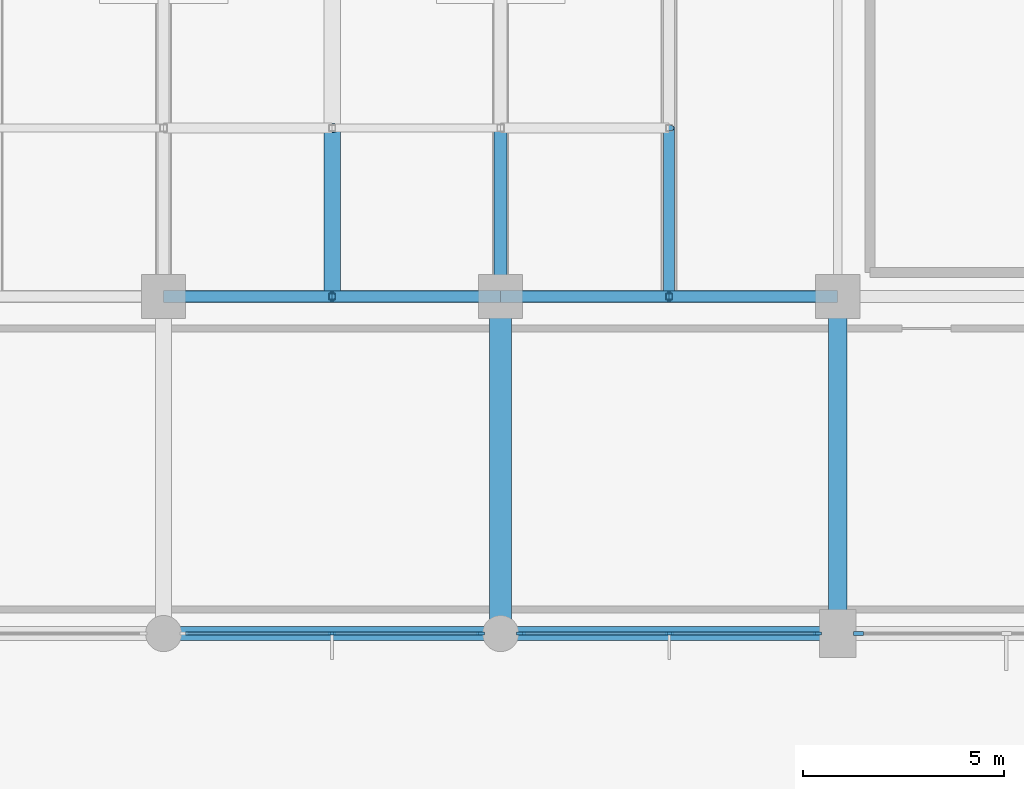
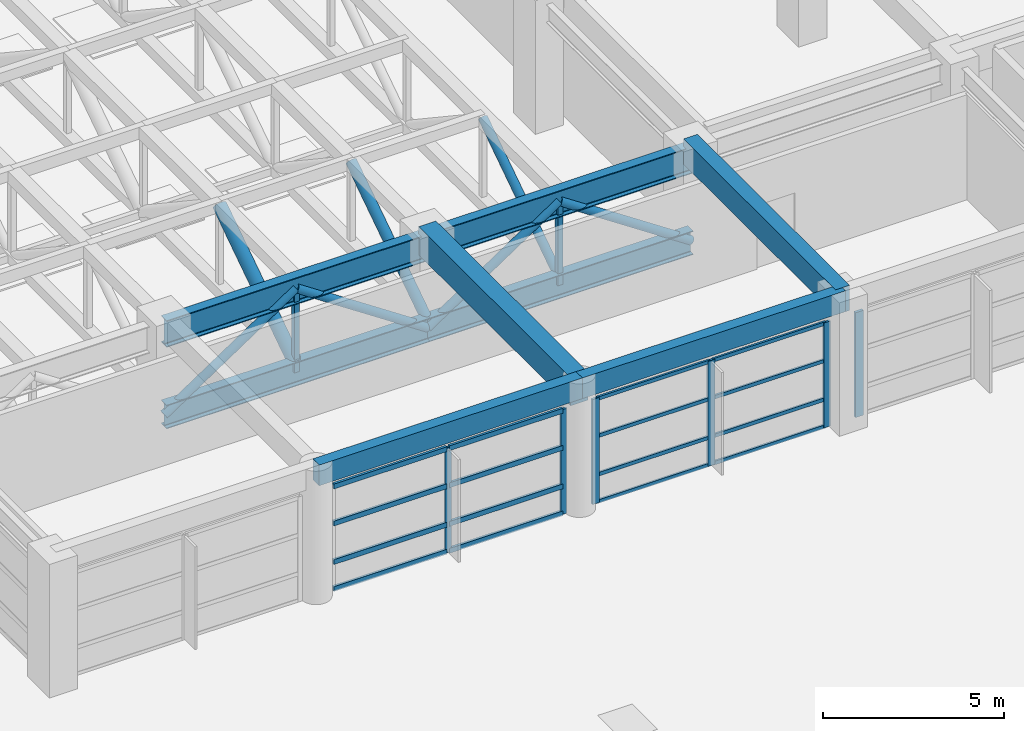
# One storey, part 10 of 47: 31 members, 8 beams, 3 elements without a shape of their own.
"""IFC4 building model written with IfcOpenShell, lengths in metres."""

from ifc_helpers import new_model, si_unit, direction, frame, origin, origin_2d, place, context, subcontext, project, spatial, rectangle, hollow_rectangle, hollow_circle, i_section, extrude, material, material_profile, profile_set, type_object, element, aggregate, save


model = new_model("IFC4")

# Units and contexts
model_context = context("Model", 3, precision=1e-05, world=origin(), true_north=direction((0.0, 1.0)))
body_context = subcontext(model_context, "Body", "Model", "MODEL_VIEW")
ifc_project = project(units=[si_unit("LENGTHUNIT", "METRE"), si_unit("AREAUNIT", "SQUARE_METRE"), si_unit("VOLUMEUNIT", "CUBIC_METRE"), si_unit("PLANEANGLEUNIT", "RADIAN"), si_unit("MASSUNIT", "GRAM", prefix="KILO")], contexts=[model_context])

# Site, building, storey
site_placement = place(None, origin())
site = spatial("IfcSite", under=ifc_project, at=site_placement, CompositionType="ELEMENT")
building_placement = place(site_placement, origin())
building = spatial("IfcBuilding", under=site, at=building_placement, Name="Xuanlan Plaza Opera House", CompositionType="ELEMENT")
storey_placement = place(building_placement, frame((0.0, 0.0, 23.39990234375)))
storey = spatial("IfcBuildingStorey", under=building, at=storey_placement, Name="L05", CompositionType="ELEMENT", Elevation=23.39990234375)

# Curtain wall, members
ifc_material_1 = material(Name="Anodised Aluminium 6063-T6 and Low-E Glass", Category="aluminium")
curtain_wall_type_1 = type_object("IfcCurtainWallType", Name="ENV-CW-CW-05", PredefinedType="USERDEFINED", material=ifc_material_1)
curtain_wall_1_placement = place(storey_placement, origin())
curtain_wall_1 = element("IfcCurtainWall", 1, at=curtain_wall_1_placement, inside=storey, type_object=curtain_wall_type_1, Name="Acoustic Glazed Wall L05-006", ObjectType="ACOUSTIC GLAZED WALL", PredefinedType="USERDEFINED")
ifc_material_2 = material(Name="Anodised Aluminium 6063-T6", Category="aluminium")
ifc_material_profile_1 = material_profile(ifc_material_2, rectangle(XDim=0.074951171875, YDim=0.199951171875, at=origin_2d()), Name="ALU-M 75x200")
ifc_profile_set_1 = profile_set([ifc_material_profile_1], Name="Anodised Aluminium 6063-T6")
member_type_1 = type_object("IfcMemberType", Name="ENV-CWM-03", PredefinedType="MULLION", material=ifc_profile_set_1)
member_1_placement = place(storey_placement, frame((79.800048828125, 33.60009765625, 0.0), z_axis=(0.0, 0.0, 1.0), x_axis=(0.0, 1.0, 0.0)))
member_1 = element("IfcMember", 2, at=member_1_placement, type_object=member_type_1, Name="CW-05 mullion 2", PredefinedType="MULLION", context=body_context, shape_type="SweptSolid", body=[
    extrude(rectangle(XDim=0.074951171875, YDim=0.199951171875, at=origin_2d()), origin(), (0.0, 0.0, 1.0), 3.5400390625),
])
member_2_placement = place(storey_placement, frame((83.492431640625, 33.60009765625, 0.0), z_axis=(0.0, 0.0, 1.0), x_axis=(0.0, 1.0, 0.0)))
member_2 = element("IfcMember", 3, at=member_2_placement, type_object=member_type_1, Name="CW-05 mullion 3", PredefinedType="MULLION", context=body_context, shape_type="SweptSolid", body=[
    extrude(rectangle(XDim=0.074951171875, YDim=0.199951171875, at=origin_2d()), origin(), (0.0, 0.0, 1.0), 3.5400390625),
])

curtain_wall_type_2 = type_object("IfcCurtainWallType", Name="ENV-CW-CW-06", PredefinedType="USERDEFINED", material=ifc_material_1)
curtain_wall_2_placement = place(storey_placement, origin())
curtain_wall_2 = element("IfcCurtainWall", 4, at=curtain_wall_2_placement, inside=storey, type_object=curtain_wall_type_2, Name="Acoustic Glazed Wall L05-007", ObjectType="ACOUSTIC GLAZED WALL", PredefinedType="USERDEFINED")
ifc_material_profile_2 = material_profile(ifc_material_2, rectangle(XDim=0.080078125, YDim=0.219970703125, at=origin_2d()), Name="ALU-M 80x220")
ifc_profile_set_2 = profile_set([ifc_material_profile_2], Name="Anodised Aluminium 6063-T6")
member_type_2 = type_object("IfcMemberType", Name="ENV-CWM-04", PredefinedType="MULLION", material=ifc_profile_set_2)
member_3_placement = place(storey_placement, frame((84.510009765625, 33.60009765625, 0.0), z_axis=(0.0, 0.0, 1.0), x_axis=(0.0, 1.0, 0.0)))
member_3 = element("IfcMember", 5, at=member_3_placement, type_object=member_type_2, Name="CW-06 mullion 1", PredefinedType="MULLION", context=body_context, shape_type="SweptSolid", body=[
    extrude(rectangle(XDim=0.080078125, YDim=0.219970703125, at=origin_2d()), origin(), (0.0, 0.0, 1.0), 3.5400390625),
])
member_4_placement = place(storey_placement, frame((88.199951171875, 33.60009765625, 0.0), z_axis=(0.0, 0.0, 1.0), x_axis=(0.0, 1.0, 0.0)))
member_4 = element("IfcMember", 6, at=member_4_placement, type_object=member_type_2, Name="CW-06 mullion 2", PredefinedType="MULLION", context=body_context, shape_type="SweptSolid", body=[
    extrude(rectangle(XDim=0.080078125, YDim=0.219970703125, at=origin_2d()), origin(), (0.0, 0.0, 1.0), 3.5400390625),
])
member_5_placement = place(storey_placement, frame((91.889892578125, 33.60009765625, 0.0), z_axis=(0.0, 0.0, 1.0), x_axis=(0.0, 1.0, 0.0)))
member_5 = element("IfcMember", 7, at=member_5_placement, type_object=member_type_2, Name="CW-06 mullion 3", PredefinedType="MULLION", context=body_context, shape_type="SweptSolid", body=[
    extrude(rectangle(XDim=0.080078125, YDim=0.219970703125, at=origin_2d()), origin(), (0.0, 0.0, 1.0), 3.5400390625),
])

# Curtain wall, member
curtain_wall_3_placement = place(storey_placement, origin())
curtain_wall_3 = element("IfcCurtainWall", 8, at=curtain_wall_3_placement, inside=storey, type_object=curtain_wall_type_1, Name="Acoustic Glazed Wall L05-008", ObjectType="ACOUSTIC GLAZED WALL", PredefinedType="USERDEFINED")
ifc_material_profile_3 = material_profile(ifc_material_2, rectangle(XDim=0.090087890625, YDim=0.25, at=origin_2d()), Name="ALU-M 90x250")
ifc_profile_set_3 = profile_set([ifc_material_profile_3], Name="Anodised Aluminium 6063-T6")
member_type_3 = type_object("IfcMemberType", Name="ENV-CWM-05", PredefinedType="MULLION", material=ifc_profile_set_3)
member_6_placement = place(storey_placement, frame((92.9150390625, 33.60009765625, 0.0), z_axis=(0.0, 0.0, 1.0), x_axis=(0.0, 1.0, 0.0)))
member_6 = element("IfcMember", 9, at=member_6_placement, type_object=member_type_3, Name="CW-05 mullion 1", PredefinedType="MULLION", context=body_context, shape_type="SweptSolid", body=[
    extrude(rectangle(XDim=0.090087890625, YDim=0.25, at=origin_2d()), origin(), (0.0, 0.0, 1.0), 3.5400390625),
])
aggregate(curtain_wall_3, [member_6])

# Member
ifc_material_profile_4 = material_profile(ifc_material_2, rectangle(XDim=0.06494140625, YDim=0.1201171875, at=origin_2d()), Name="ALU-T 65x120")
ifc_profile_set_4 = profile_set([ifc_material_profile_4], Name="Anodised Aluminium 6063-T6")
member_type_4 = type_object("IfcMemberType", Name="ENV-CWT-01", PredefinedType="USERDEFINED", material=ifc_profile_set_4)
member_7_placement = place(storey_placement, frame((84.550048828125, 33.60009765625, 0.03271484375), z_axis=(1.0, 0.0, 0.0), x_axis=(0.0, 1.0, 0.0)))
member_7 = element("IfcMember", 10, at=member_7_placement, type_object=member_type_4, Name="CW-06 transom 1.1", ObjectType="TRANSOM", PredefinedType="USERDEFINED", context=body_context, shape_type="SweptSolid", body=[
    extrude(rectangle(XDim=0.06494140625, YDim=0.1201171875, at=origin_2d()), origin(), (0.0, 0.0, 1.0), 3.60986328125),
])

member_8_placement = place(storey_placement, frame((84.550048828125, 33.60009765625, 0.9501953125), z_axis=(1.0, 0.0, 0.0), x_axis=(0.0, 1.0, 0.0)))
member_8 = element("IfcMember", 11, at=member_8_placement, type_object=member_type_4, Name="CW-06 transom 1.2", ObjectType="TRANSOM", PredefinedType="USERDEFINED", context=body_context, shape_type="SweptSolid", body=[
    extrude(rectangle(XDim=0.06494140625, YDim=0.1201171875, at=origin_2d()), origin(), (0.0, 0.0, 1.0), 3.60986328125),
])

member_9_placement = place(storey_placement, frame((84.550048828125, 33.60009765625, 2.25), z_axis=(1.0, 0.0, 0.0), x_axis=(0.0, 1.0, 0.0)))
member_9 = element("IfcMember", 12, at=member_9_placement, type_object=member_type_4, Name="CW-06 transom 1.3", ObjectType="TRANSOM", PredefinedType="USERDEFINED", context=body_context, shape_type="SweptSolid", body=[
    extrude(rectangle(XDim=0.06494140625, YDim=0.1201171875, at=origin_2d()), origin(), (0.0, 0.0, 1.0), 3.60986328125),
])

member_10_placement = place(storey_placement, frame((84.550048828125, 33.60009765625, 3.507568359375), z_axis=(1.0, 0.0, 0.0), x_axis=(0.0, 1.0, 0.0)))
member_10 = element("IfcMember", 13, at=member_10_placement, type_object=member_type_4, Name="CW-06 transom 1.4", ObjectType="TRANSOM", PredefinedType="USERDEFINED", context=body_context, shape_type="SweptSolid", body=[
    extrude(rectangle(XDim=0.06494140625, YDim=0.1201171875, at=origin_2d()), origin(), (0.0, 0.0, 1.0), 3.60986328125),
])

member_11_placement = place(storey_placement, frame((88.239990234375, 33.60009765625, 0.03271484375), z_axis=(1.0, 0.0, 0.0), x_axis=(0.0, 1.0, 0.0)))
member_11 = element("IfcMember", 14, at=member_11_placement, type_object=member_type_4, Name="CW-06 transom 2.1", ObjectType="TRANSOM", PredefinedType="USERDEFINED", context=body_context, shape_type="SweptSolid", body=[
    extrude(rectangle(XDim=0.06494140625, YDim=0.1201171875, at=origin_2d()), origin(), (0.0, 0.0, 1.0), 3.610107421875),
])

member_12_placement = place(storey_placement, frame((88.239990234375, 33.60009765625, 0.9501953125), z_axis=(1.0, 0.0, 0.0), x_axis=(0.0, 1.0, 0.0)))
member_12 = element("IfcMember", 15, at=member_12_placement, type_object=member_type_4, Name="CW-06 transom 2.2", ObjectType="TRANSOM", PredefinedType="USERDEFINED", context=body_context, shape_type="SweptSolid", body=[
    extrude(rectangle(XDim=0.06494140625, YDim=0.1201171875, at=origin_2d()), origin(), (0.0, 0.0, 1.0), 3.610107421875),
])

member_13_placement = place(storey_placement, frame((88.239990234375, 33.60009765625, 2.25), z_axis=(1.0, 0.0, 0.0), x_axis=(0.0, 1.0, 0.0)))
member_13 = element("IfcMember", 16, at=member_13_placement, type_object=member_type_4, Name="CW-06 transom 2.3", ObjectType="TRANSOM", PredefinedType="USERDEFINED", context=body_context, shape_type="SweptSolid", body=[
    extrude(rectangle(XDim=0.06494140625, YDim=0.1201171875, at=origin_2d()), origin(), (0.0, 0.0, 1.0), 3.610107421875),
])

member_14_placement = place(storey_placement, frame((88.239990234375, 33.60009765625, 3.507568359375), z_axis=(1.0, 0.0, 0.0), x_axis=(0.0, 1.0, 0.0)))
member_14 = element("IfcMember", 17, at=member_14_placement, type_object=member_type_4, Name="CW-06 transom 2.4", ObjectType="TRANSOM", PredefinedType="USERDEFINED", context=body_context, shape_type="SweptSolid", body=[
    extrude(rectangle(XDim=0.06494140625, YDim=0.1201171875, at=origin_2d()), origin(), (0.0, 0.0, 1.0), 3.610107421875),
])

aggregate(curtain_wall_2, [member_3, member_4, member_5, member_7, member_8, member_9, member_10, member_11, member_12, member_13, member_14])

ifc_material_profile_5 = material_profile(ifc_material_2, rectangle(XDim=0.080078125, YDim=0.1650390625, at=origin_2d()), Name="ALU-T 80x165")
ifc_profile_set_5 = profile_set([ifc_material_profile_5], Name="Anodised Aluminium 6063-T6")
member_type_5 = type_object("IfcMemberType", Name="ENV-CWT-04", PredefinedType="USERDEFINED", material=ifc_profile_set_5)
member_15_placement = place(storey_placement, frame((76.14501953125, 33.60009765625, 0.0400390625), z_axis=(1.0, 0.0, 0.0), x_axis=(0.0, 1.0, 0.0)))
member_15 = element("IfcMember", 18, at=member_15_placement, type_object=member_type_5, Name="CW-05 transom 1.1", ObjectType="TRANSOM", PredefinedType="USERDEFINED", context=body_context, shape_type="SweptSolid", body=[
    extrude(rectangle(XDim=0.080078125, YDim=0.1650390625, at=origin_2d()), origin(), (0.0, 0.0, 1.0), 3.617431640625),
])

member_16_placement = place(storey_placement, frame((76.14501953125, 33.60009765625, 0.9501953125), z_axis=(1.0, 0.0, 0.0), x_axis=(0.0, 1.0, 0.0)))
member_16 = element("IfcMember", 19, at=member_16_placement, type_object=member_type_5, Name="CW-05 transom 1.2", ObjectType="TRANSOM", PredefinedType="USERDEFINED", context=body_context, shape_type="SweptSolid", body=[
    extrude(rectangle(XDim=0.080078125, YDim=0.1650390625, at=origin_2d()), origin(), (0.0, 0.0, 1.0), 3.617431640625),
])

member_17_placement = place(storey_placement, frame((76.14501953125, 33.60009765625, 2.25), z_axis=(1.0, 0.0, 0.0), x_axis=(0.0, 1.0, 0.0)))
member_17 = element("IfcMember", 20, at=member_17_placement, type_object=member_type_5, Name="CW-05 transom 1.3", ObjectType="TRANSOM", PredefinedType="USERDEFINED", context=body_context, shape_type="SweptSolid", body=[
    extrude(rectangle(XDim=0.080078125, YDim=0.1650390625, at=origin_2d()), origin(), (0.0, 0.0, 1.0), 3.617431640625),
])

member_18_placement = place(storey_placement, frame((76.14501953125, 33.60009765625, 3.5), z_axis=(1.0, 0.0, 0.0), x_axis=(0.0, 1.0, 0.0)))
member_18 = element("IfcMember", 21, at=member_18_placement, type_object=member_type_5, Name="CW-05 transom 1.4", ObjectType="TRANSOM", PredefinedType="USERDEFINED", context=body_context, shape_type="SweptSolid", body=[
    extrude(rectangle(XDim=0.080078125, YDim=0.1650390625, at=origin_2d()), origin(), (0.0, 0.0, 1.0), 3.617431640625),
])

member_19_placement = place(storey_placement, frame((79.83740234375, 33.60009765625, 0.0400390625), z_axis=(1.0, 0.0, 0.0), x_axis=(0.0, 1.0, 0.0)))
member_19 = element("IfcMember", 22, at=member_19_placement, type_object=member_type_5, Name="CW-05 transom 2.1", ObjectType="TRANSOM", PredefinedType="USERDEFINED", context=body_context, shape_type="SweptSolid", body=[
    extrude(rectangle(XDim=0.080078125, YDim=0.1650390625, at=origin_2d()), origin(), (0.0, 0.0, 1.0), 3.61767578125),
])

member_20_placement = place(storey_placement, frame((79.83740234375, 33.60009765625, 0.9501953125), z_axis=(1.0, 0.0, 0.0), x_axis=(0.0, 1.0, 0.0)))
member_20 = element("IfcMember", 23, at=member_20_placement, type_object=member_type_5, Name="CW-05 transom 2.2", ObjectType="TRANSOM", PredefinedType="USERDEFINED", context=body_context, shape_type="SweptSolid", body=[
    extrude(rectangle(XDim=0.080078125, YDim=0.1650390625, at=origin_2d()), origin(), (0.0, 0.0, 1.0), 3.61767578125),
])

member_21_placement = place(storey_placement, frame((79.83740234375, 33.60009765625, 2.25), z_axis=(1.0, 0.0, 0.0), x_axis=(0.0, 1.0, 0.0)))
member_21 = element("IfcMember", 24, at=member_21_placement, type_object=member_type_5, Name="CW-05 transom 2.3", ObjectType="TRANSOM", PredefinedType="USERDEFINED", context=body_context, shape_type="SweptSolid", body=[
    extrude(rectangle(XDim=0.080078125, YDim=0.1650390625, at=origin_2d()), origin(), (0.0, 0.0, 1.0), 3.61767578125),
])

member_22_placement = place(storey_placement, frame((79.83740234375, 33.60009765625, 3.5), z_axis=(1.0, 0.0, 0.0), x_axis=(0.0, 1.0, 0.0)))
member_22 = element("IfcMember", 25, at=member_22_placement, type_object=member_type_5, Name="CW-05 transom 2.4", ObjectType="TRANSOM", PredefinedType="USERDEFINED", context=body_context, shape_type="SweptSolid", body=[
    extrude(rectangle(XDim=0.080078125, YDim=0.1650390625, at=origin_2d()), origin(), (0.0, 0.0, 1.0), 3.61767578125),
])

aggregate(curtain_wall_1, [member_1, member_2, member_15, member_16, member_17, member_18, member_19, member_20, member_21, member_22])

# Beams
ifc_material_3 = material(Name="Concrete C50", Category="concrete")
ifc_material_profile_6 = material_profile(ifc_material_3, rectangle(XDim=0.550048828125, YDim=0.949951171875, at=origin_2d()), Name="RC-BM 550x950")
ifc_profile_set_6 = profile_set([ifc_material_profile_6], Name="Concrete C50")
beam_type_1 = type_object("IfcBeamType", Name="STR-BM-B-02", PredefinedType="BEAM", material=ifc_profile_set_6)
beam_1_placement = place(storey_placement, frame((84.0, 33.60009765625, 4.025146484375), z_axis=(0.0, 1.0, 0.0), x_axis=(-1.0, 0.0, 0.0)))
element("IfcBeam", 26, at=beam_1_placement, inside=storey, type_object=beam_type_1, Name="Grid Beam Y L05 11/E-F", PredefinedType="BEAM", context=body_context, shape_type="SweptSolid", body=[
    extrude(rectangle(XDim=0.550048828125, YDim=0.949951171875, at=origin_2d()), origin(), (0.0, 0.0, 1.0), 8.39990234375),
])
ifc_material_4 = material(Name="Concrete C40", Category="concrete")
ifc_material_profile_7 = material_profile(ifc_material_4, rectangle(XDim=0.449951171875, YDim=0.85009765625, at=origin_2d()), Name="RC-BM 450x850")
ifc_profile_set_7 = profile_set([ifc_material_profile_7], Name="Concrete C40")
beam_type_2 = type_object("IfcBeamType", Name="STR-BM-B-04", PredefinedType="BEAM", material=ifc_profile_set_7)
beam_2_placement = place(storey_placement, frame((92.39990234375, 33.60009765625, 4.0751953125), z_axis=(0.0, 1.0, 0.0), x_axis=(-1.0, 0.0, 0.0)))
element("IfcBeam", 27, at=beam_2_placement, inside=storey, type_object=beam_type_2, Name="Grid Beam Y L05 12/E-F", PredefinedType="BEAM", context=body_context, shape_type="SweptSolid", body=[
    extrude(rectangle(XDim=0.449951171875, YDim=0.85009765625, at=origin_2d()), origin(), (0.0, 0.0, 1.0), 8.39990234375),
])
ifc_material_5 = material(Name="Steel Q390B", Category="steel")
ifc_material_profile_8 = material_profile(ifc_material_5, i_section(OverallWidth=0.300048828125, OverallDepth=0.89990234375, WebThickness=0.01611328125, FlangeThickness=0.028076171875, FilletRadius=0.028076171875, at=origin_2d()), Name="HN 900x300x16x28")
ifc_profile_set_8 = profile_set([ifc_material_profile_8], Name="Steel Q390B")
beam_type_3 = type_object("IfcBeamType", Name="STR-BM-SB-01", PredefinedType="BEAM", material=ifc_profile_set_8)
for number, where, z_axis, x_axis, name in (
    (28, (75.60009765625, 42.0, 3.80908203125), (1.0, 0.0, 0.0), (0.0, 1.0, 0.0), "Auditorium Collector Truss S Top Chord Bay 2"),
    (29, (84.0, 42.0, 3.80908203125), (1.0, 0.0, 0.0), (0.0, 1.0, 0.0), "Auditorium Collector Truss S Top Chord Bay 3"),
):
    element("IfcBeam", number, at=place(storey_placement, frame(where, z_axis=z_axis, x_axis=x_axis)), inside=storey, type_object=beam_type_3, Name=name, PredefinedType="BEAM", context=body_context, shape_type="SweptSolid", body=[
        extrude(i_section(OverallWidth=0.300048828125, OverallDepth=0.89990234375, WebThickness=0.01611328125, FlangeThickness=0.028076171875, FilletRadius=0.028076171875, at=origin_2d()), origin(), (0.0, 0.0, 1.0), 8.39990234375),
    ])
ifc_material_profile_9 = material_profile(ifc_material_5, i_section(OverallWidth=0.300048828125, OverallDepth=0.800048828125, WebThickness=0.013916015625, FlangeThickness=0.02587890625, FilletRadius=0.02587890625, at=origin_2d()), Name="HN 800x300x14x26")
ifc_profile_set_9 = profile_set([ifc_material_profile_9], Name="Steel Q390B")
beam_type_4 = type_object("IfcBeamType", Name="STR-BM-SB-02", PredefinedType="BEAM", material=ifc_profile_set_9)
for number, where, z_axis, x_axis, name in (
    (30, (75.60009765625, 42.0, 1.009033203125), (1.0, 0.0, 0.0), (0.0, 1.0, 0.0), "Auditorium Collector Truss S Bottom Chord Bay 2"),
    (31, (84.0, 42.0, 1.009033203125), (1.0, 0.0, 0.0), (0.0, 1.0, 0.0), "Auditorium Collector Truss S Bottom Chord Bay 3"),
):
    element("IfcBeam", number, at=place(storey_placement, frame(where, z_axis=z_axis, x_axis=x_axis)), inside=storey, type_object=beam_type_4, Name=name, PredefinedType="BEAM", context=body_context, shape_type="SweptSolid", body=[
        extrude(i_section(OverallWidth=0.300048828125, OverallDepth=0.800048828125, WebThickness=0.013916015625, FlangeThickness=0.02587890625, FilletRadius=0.02587890625, at=origin_2d()), origin(), (0.0, 0.0, 1.0), 8.39990234375),
    ])
ifc_material_profile_10 = material_profile(ifc_material_4, rectangle(XDim=0.35009765625, YDim=0.699951171875, at=origin_2d()), Name="RC-SPD 350x700")
ifc_profile_set_10 = profile_set([ifc_material_profile_10], Name="Concrete C40")
beam_type_5 = type_object("IfcBeamType", Name="STR-BM-SP-02", PredefinedType="SPANDREL", material=ifc_profile_set_10)
for number, where, z_axis, x_axis, name in (
    (32, (75.60009765625, 33.60009765625, 4.150146484375), (1.0, 0.0, 0.0), (0.0, 1.0, 0.0), "Grid Beam X L05 10-11/E"),
    (33, (84.0, 33.60009765625, 4.150146484375), (1.0, 0.0, 0.0), (0.0, 1.0, 0.0), "Grid Beam X L05 11-12/E"),
):
    element("IfcBeam", number, at=place(storey_placement, frame(where, z_axis=z_axis, x_axis=x_axis)), inside=storey, type_object=beam_type_5, Name=name, PredefinedType="SPANDREL", context=body_context, shape_type="SweptSolid", body=[
        extrude(rectangle(XDim=0.35009765625, YDim=0.699951171875, at=origin_2d()), origin(), (0.0, 0.0, 1.0), 8.39990234375),
    ])

# Members
ifc_material_profile_11 = material_profile(ifc_material_5, hollow_circle(Radius=0.203125, WallThickness=0.01611328125, at=origin_2d()), Name="CHS 406.4x16")
ifc_profile_set_11 = profile_set([ifc_material_profile_11], Name="Steel Q390B")
member_type_6 = type_object("IfcMemberType", Name="STR-MEM-BR-01", PredefinedType="BRACE", material=ifc_profile_set_11)
member_23_placement = place(storey_placement, frame((79.800048828125, 42.0, 1.259033203125), z_axis=(0.0, 0.832042853317, 0.554711357594), x_axis=(-1.0, 0.0, 0.0)))
element("IfcMember", 34, at=member_23_placement, inside=storey, type_object=member_type_6, Name="Auditorium Roof Truss AUD-03 Web Diagonal 1", PredefinedType="BRACE", context=body_context, shape_type="SweptSolid", body=[
    extrude(hollow_circle(Radius=0.203125, WallThickness=0.01611328125, at=origin_2d()), origin(), (0.0, 0.0, 1.0), 5.0478515625),
])
ifc_material_6 = material(Name="Steel Q355B", Category="steel")
ifc_material_profile_12 = material_profile(ifc_material_6, hollow_circle(Radius=0.161865234375, WallThickness=0.013916015625, at=origin_2d()), Name="CHS 323.9x14")
ifc_profile_set_12 = profile_set([ifc_material_profile_12], Name="Steel Q355B")
member_type_7 = type_object("IfcMemberType", Name="STR-MEM-BR-03", PredefinedType="BRACE", material=ifc_profile_set_12)
member_24_placement = place(storey_placement, frame((84.0, 42.0, 1.259033203125), z_axis=(0.0, 0.832042853317, 0.554711357594), x_axis=(-1.0, 0.0, 0.0)))
element("IfcMember", 35, at=member_24_placement, inside=storey, type_object=member_type_7, Name="Auditorium Roof Truss AUD-04 Web Diagonal 1", PredefinedType="BRACE", context=body_context, shape_type="SweptSolid", body=[
    extrude(hollow_circle(Radius=0.161865234375, WallThickness=0.013916015625, at=origin_2d()), origin(), (0.0, 0.0, 1.0), 5.0478515625),
])
ifc_material_profile_13 = material_profile(ifc_material_6, hollow_circle(Radius=0.136474609375, WallThickness=0.011962890625, at=origin_2d()), Name="CHS 273x12")
ifc_profile_set_13 = profile_set([ifc_material_profile_13], Name="Steel Q355B")
member_type_8 = type_object("IfcMemberType", Name="STR-MEM-BR-04", PredefinedType="BRACE", material=ifc_profile_set_13)
for number, where, z_axis, x_axis, name in (
    (36, (75.60009765625, 42.0, 1.009033203125), (0.832042853317, 0.0, 0.554711357594), (0.0, 1.0, 0.0), "Auditorium Collector Truss S Web Diagonal 3"),
    (37, (79.800048828125, 42.0, 3.80908203125), (0.832042853317, 0.0, -0.554711357594), (0.0, 1.0, 0.0), "Auditorium Collector Truss S Web Diagonal 4"),
    (38, (84.0, 42.0, 1.009033203125), (0.832042853317, 0.0, 0.554711357594), (0.0, 1.0, 0.0), "Auditorium Collector Truss S Web Diagonal 5"),
    (39, (88.199951171875, 42.0, 3.80908203125), (0.832042853317, 0.0, -0.554711357594), (0.0, 1.0, 0.0), "Auditorium Collector Truss S Web Diagonal 6"),
    (40, (88.199951171875, 42.0, 1.259033203125), (0.0, 0.832042853317, 0.554711357594), (-1.0, 0.0, 0.0), "Auditorium Roof Truss AUD-05 Web Diagonal 1"),
):
    element("IfcMember", number, at=place(storey_placement, frame(where, z_axis=z_axis, x_axis=x_axis)), inside=storey, type_object=member_type_8, Name=name, PredefinedType="BRACE", context=body_context, shape_type="SweptSolid", body=[
        extrude(hollow_circle(Radius=0.136474609375, WallThickness=0.011962890625, at=origin_2d()), origin(), (0.0, 0.0, 1.0), 5.0478515625),
    ])
ifc_material_profile_14 = material_profile(ifc_material_6, hollow_rectangle(XDim=0.159912109375, YDim=0.159912109375, WallThickness=0.008056640625, at=origin_2d()), Name="SHS 160x160x8")
ifc_profile_set_14 = profile_set([ifc_material_profile_14], Name="Steel Q355B")
member_type_9 = type_object("IfcMemberType", Name="STR-MEM-ST-M3", PredefinedType="STRUT", material=ifc_profile_set_14)
for number, where, z_axis, x_axis, name in (
    (41, (79.800048828125, 42.0, 1.009033203125), (0.0, 0.0, 1.0), (1.0, 0.0, 0.0), "Auditorium Collector Truss S Panel Vertical 2"),
    (42, (88.199951171875, 42.0, 1.009033203125), (0.0, 0.0, 1.0), (1.0, 0.0, 0.0), "Auditorium Collector Truss S Panel Vertical 3"),
):
    element("IfcMember", number, at=place(storey_placement, frame(where, z_axis=z_axis, x_axis=x_axis)), inside=storey, type_object=member_type_9, Name=name, PredefinedType="STRUT", context=body_context, shape_type="SweptSolid", body=[
        extrude(hollow_rectangle(XDim=0.159912109375, YDim=0.159912109375, WallThickness=0.008056640625, at=origin_2d()), origin(), (0.0, 0.0, 1.0), 2.800048828125),
    ])

save(model, "model.ifc")
